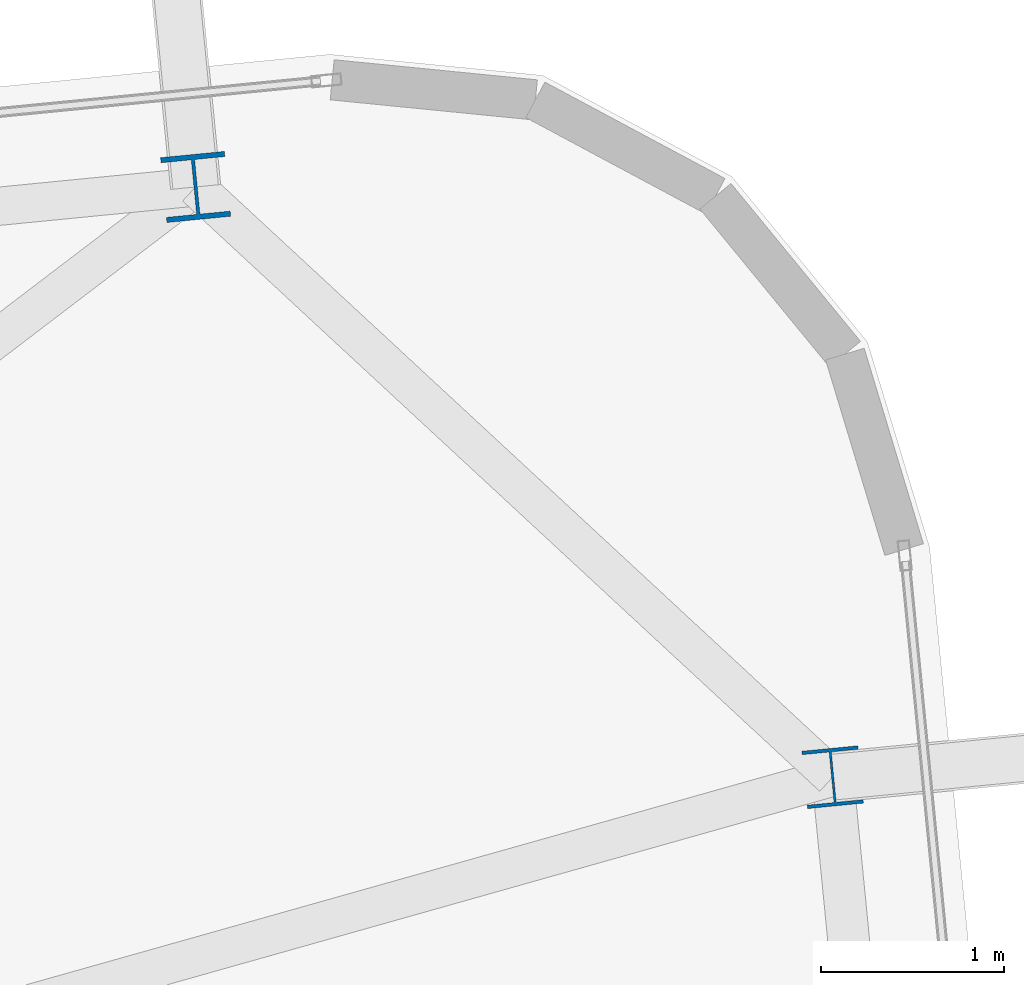
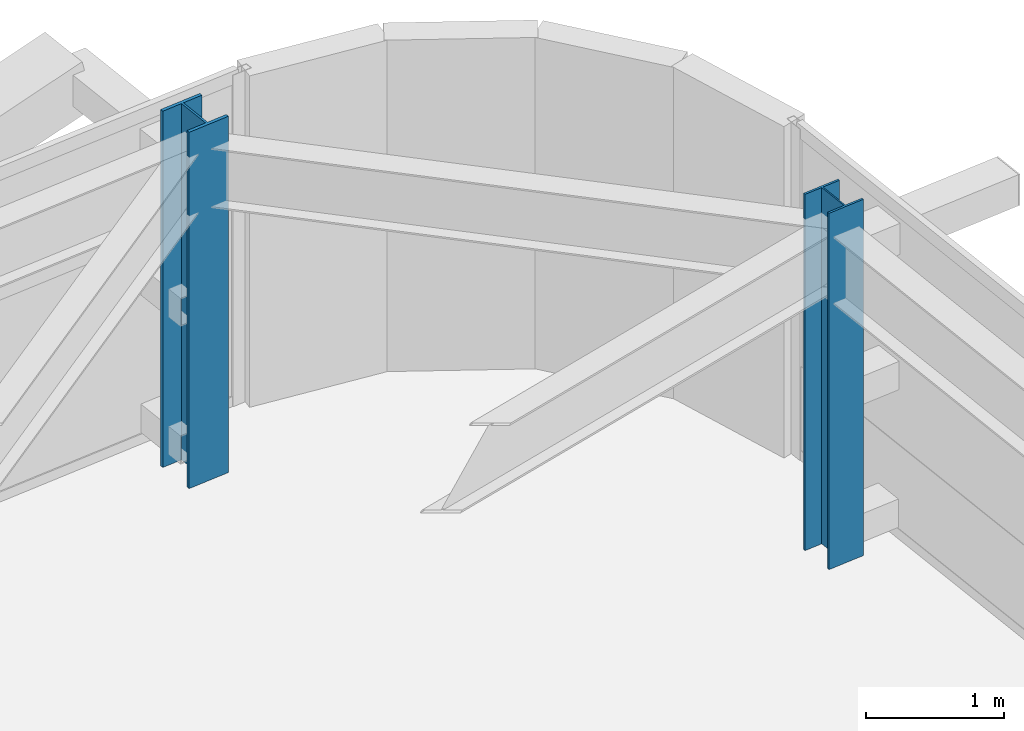
# One storey, part 4 of 53: 2 columns.
"""IFC4 building model written with IfcOpenShell, lengths in metres."""

from ifc_helpers import new_model, si_unit, direction, frame, origin, origin_2d, place, context, subcontext, project, spatial, i_section, extrude, source, transform, mapped, material, material_profile, profile_set, type_object, element, save


model = new_model("IFC4")

# Units and contexts
model_context = context("Model", 3, precision=1e-05, world=origin(), true_north=direction((0.0, 1.0)))
body_context = subcontext(model_context, "Body", "Model", "MODEL_VIEW")
ifc_project = project(units=[si_unit("LENGTHUNIT", "METRE"), si_unit("AREAUNIT", "SQUARE_METRE"), si_unit("VOLUMEUNIT", "CUBIC_METRE"), si_unit("PLANEANGLEUNIT", "RADIAN"), si_unit("MASSUNIT", "GRAM", prefix="KILO")], contexts=[model_context])

# Site, building, storey
site_placement = place(None, origin())
site = spatial("IfcSite", under=ifc_project, at=site_placement, CompositionType="ELEMENT")
building_placement = place(site_placement, origin())
building = spatial("IfcBuilding", under=site, at=building_placement, Name="Taldren Reach Tower", CompositionType="ELEMENT")
storey_placement = place(building_placement, frame((0.0, 0.0, 80.85009765625)))
storey = spatial("IfcBuildingStorey", under=building, at=storey_placement, Name="L24", CompositionType="ELEMENT", Elevation=80.85009765625)

# Columns
ifc_material = material(Name="Steel Gr 350 (350PLUS)", Category="steel")
ifc_material_profile_1 = material_profile(ifc_material, i_section(OverallWidth=0.35009765625, OverallDepth=0.35595703125, WebThickness=0.01806640625, FlangeThickness=0.028076171875, at=origin_2d()), Name="350WC197")
ifc_profile_set_1 = profile_set([ifc_material_profile_1], Name="Steel Gr 350 (350PLUS)")
column_type_1 = type_object("IfcColumnType", Name="COL-WC350", PredefinedType="COLUMN", material=ifc_profile_set_1)
shared_shape_1 = source(origin(), body_context, "Body", "SweptSolid", [
    extrude(i_section(OverallWidth=0.35009765625, OverallDepth=0.35595703125, WebThickness=0.01806640625, FlangeThickness=0.028076171875, at=origin_2d()), origin(), (0.0, 0.0, 1.0), 3.14990234375),
])
column_1_placement = place(storey_placement, frame((59.765869140625, 38.679931640625, 0.0), z_axis=(0.0, 0.0, 1.0), x_axis=(0.995227399982, 0.097582899759, 0.0)))
element("IfcColumn", 1, at=column_1_placement, inside=storey, type_object=column_type_1, Name="Block B2 perimeter column N6 L24", PredefinedType="COLUMN", context=body_context, shape_type="MappedRepresentation", body=[
    mapped(shared_shape_1, transform((0.0, 0.0, 0.0), scale=1.0)),
])
ifc_material_profile_2 = material_profile(ifc_material, i_section(OverallWidth=0.306884765625, OverallDepth=0.31494140625, WebThickness=0.011962890625, FlangeThickness=0.018798828125, at=origin_2d()), Name="310UC118")
ifc_profile_set_2 = profile_set([ifc_material_profile_2], Name="Steel Gr 350 (350PLUS)")
column_type_2 = type_object("IfcColumnType", Name="COL-UC310B", PredefinedType="COLUMN", material=ifc_profile_set_2)
shared_shape_2 = source(origin(), body_context, "Body", "SweptSolid", [
    extrude(i_section(OverallWidth=0.306884765625, OverallDepth=0.31494140625, WebThickness=0.011962890625, FlangeThickness=0.018798828125, at=origin_2d()), origin(), (0.0, 0.0, 1.0), 3.14990234375),
])
column_2_placement = place(storey_placement, frame((63.247314453125, 35.454345703125, 0.0), z_axis=(0.0, 0.0, 1.0), x_axis=(0.995227399982, 0.097582899759, 0.0)))
element("IfcColumn", 2, at=column_2_placement, inside=storey, type_object=column_type_2, Name="Block B2 perimeter column E3 L24", PredefinedType="COLUMN", context=body_context, shape_type="MappedRepresentation", body=[
    mapped(shared_shape_2, transform((0.0, 0.0, 0.0), scale=1.0)),
])

save(model, "model.ifc")
